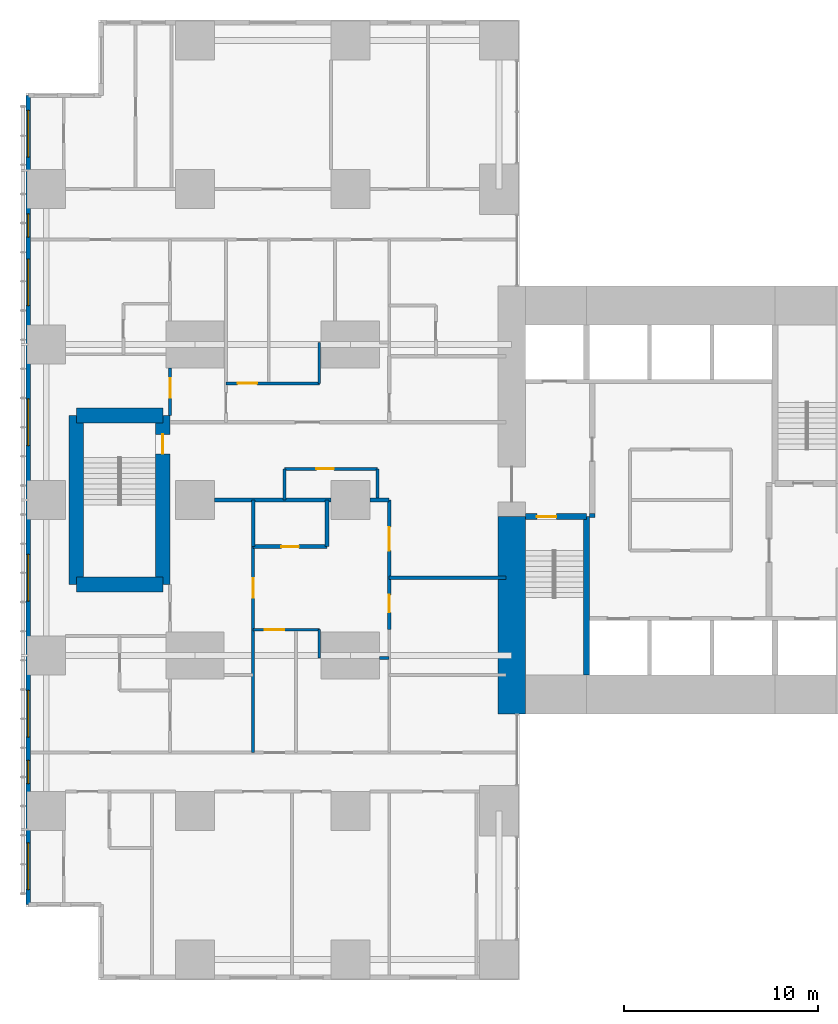
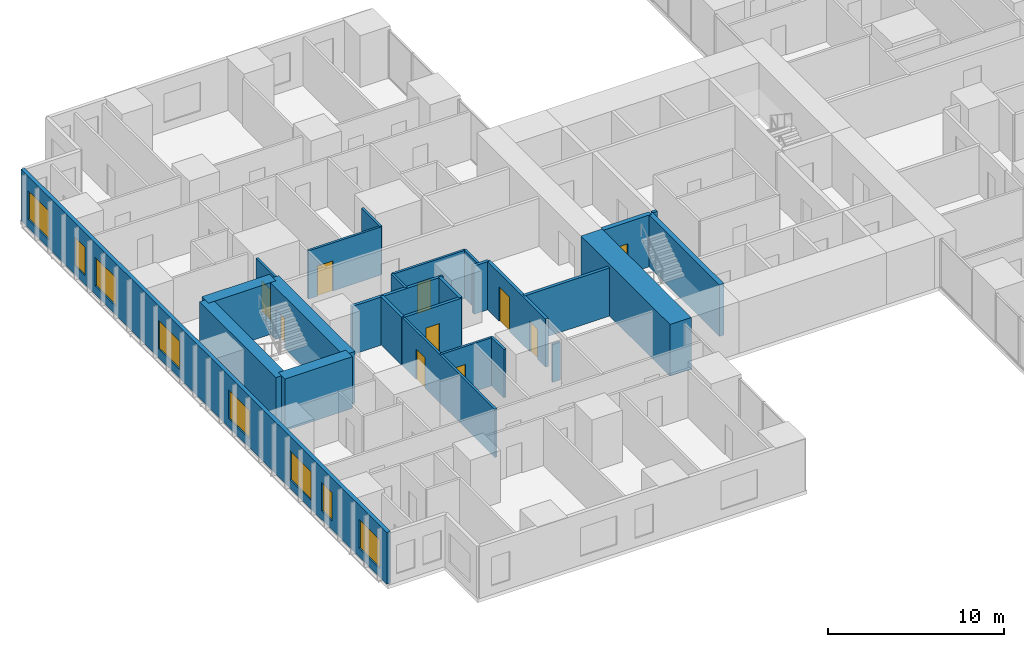
# One storey, part 13 of 20: 26 walls, 10 doors, 8 windows, 18 openings.
"""IFC4 building model written with IfcOpenShell, lengths in metres."""

from ifc_helpers import new_model, si_unit, direction, frame, frame_2d, origin, place, context, subcontext, project, spatial, rectangle, extrude, material, layer, layer_set, type_object, element, fill, save


model = new_model("IFC4")

# Units and contexts
model_context = context("Model", 3, precision=1e-05, world=origin(), true_north=direction((0.0, 1.0)))
body_context = subcontext(model_context, "Body", "Model", "MODEL_VIEW")
ifc_project = project(units=[si_unit("LENGTHUNIT", "METRE"), si_unit("AREAUNIT", "SQUARE_METRE"), si_unit("VOLUMEUNIT", "CUBIC_METRE"), si_unit("PLANEANGLEUNIT", "RADIAN"), si_unit("MASSUNIT", "GRAM", prefix="KILO")], contexts=[model_context])

# Site, building, storey
site_placement = place(None, origin())
site = spatial("IfcSite", under=ifc_project, at=site_placement, CompositionType="ELEMENT")
building_placement = place(site_placement, origin())
building = spatial("IfcBuilding", under=site, at=building_placement, Name="Cleftline Residences", CompositionType="ELEMENT")
storey_placement = place(building_placement, frame((0.0, 0.0, 69.199951171875)))
storey = spatial("IfcBuildingStorey", under=building, at=storey_placement, Name="L17", CompositionType="ELEMENT", Elevation=69.199951171875)

# Walls
ifc_material_1 = material(Name="Concrete B70", Category="concrete")
ifc_layer_1 = layer(ifc_material_1, 1.39990234375)
ifc_layer_set_1 = layer_set([ifc_layer_1], Name="CORE WALL 1400")
wall_type_1 = type_object("IfcWallType", Name="CORE WALL 1400", PredefinedType="SHEAR", material=ifc_layer_set_1)
wall_1_placement = place(storey_placement, frame((24.300048828125, 13.0, 0.0), z_axis=(0.0, 0.0, 1.0), x_axis=(0.0, 1.0, 0.0)))
element("IfcWall", 1, at=wall_1_placement, inside=storey, type_object=wall_type_1, Name="Core wall W0", PredefinedType="SHEAR", context=body_context, shape_type="SweptSolid", body=[
    extrude(rectangle(XDim=10.14990234375, YDim=1.39990234375, at=frame_2d((5.074951171875, 0.0))), origin(), (0.0, 0.0, 1.0), 3.60009765625),
])
ifc_material_2 = material(Name="Concrete B70", Category="concrete")
ifc_layer_2 = layer(ifc_material_2, 0.300048828125)
ifc_layer_set_2 = layer_set([ifc_layer_2], Name="CORE WALL 300")
wall_type_2 = type_object("IfcWallType", Name="CORE WALL 300", PredefinedType="SHEAR", material=ifc_layer_set_2)
wall_2_placement = place(storey_placement, frame((28.14990234375, 15.0, 0.0), z_axis=(0.0, 0.0, 1.0), x_axis=(0.0, 1.0, 0.0)))
element("IfcWall", 2, at=wall_2_placement, inside=storey, type_object=wall_type_2, Name="Core wall SA-E", PredefinedType="SHEAR", context=body_context, shape_type="SweptSolid", body=[
    extrude(rectangle(XDim=8.14990234375, YDim=0.300048828125, at=frame_2d((4.074951171875, 0.0))), origin(), (0.0, 0.0, 1.0), 3.60009765625),
])

# Wall, opening, door
wall_3_placement = place(storey_placement, frame((25.0, 23.14990234375, 0.0), z_axis=(0.0, 0.0, 1.0), x_axis=(1.0, 0.0, 0.0)))
wall_3 = element("IfcWall", 3, at=wall_3_placement, inside=storey, type_object=wall_type_2, Name="Core wall SA-N", PredefinedType="SHEAR", context=body_context, shape_type="SweptSolid", body=[
    extrude(rectangle(XDim=3.14990234375, YDim=0.300048828125, at=frame_2d((1.574951171875, 0.0))), origin(), (0.0, 0.0, 1.0), 3.60009765625),
])
opening_1_placement = place(wall_3_placement, frame((0.60009765625, 0.0, 0.0)))
opening_1 = element("IfcOpeningElement", 4, at=opening_1_placement, cuts=wall_3, Name="Opening D5", PredefinedType="OPENING", context=body_context, shape_type="SweptSolid", body=[
    extrude(rectangle(XDim=1.0, YDim=2.10009765625, at=frame_2d((0.5, 1.050048828125))), frame((0.0, 0.159912109375, 0.0), z_axis=(0.0, -1.0, 0.0), x_axis=(1.0, 0.0, 0.0)), (0.0, 0.0, 1.0), 0.320068359375),
])
ifc_material_3 = material(Name="Steel", Category="steel")
door_type_1 = type_object("IfcDoorType", Name="STAIR DOOR 1000X2100", OperationType="SINGLE_SWING_LEFT", PredefinedType="DOOR", material=ifc_material_3)
door_1_placement = place(opening_1_placement, origin())
door_1 = element("IfcDoor", 5, at=door_1_placement, inside=storey, type_object=door_type_1, Name="Stair A door", OperationType="SINGLE_SWING_RIGHT", OverallHeight=2.10009765625, OverallWidth=1.0, PredefinedType="DOOR", context=body_context, shape_type="SweptSolid", body=[
    extrude(rectangle(XDim=1.0, YDim=2.10009765625, at=frame_2d((0.5, 1.050048828125))), frame((0.0, 0.02490234375, 0.0), z_axis=(0.0, -1.0, 0.0), x_axis=(1.0, 0.0, 0.0)), (0.0, 0.0, 1.0), 0.050048828125),
])
fill(opening_1, door_1)

# Wall, openings, windows
ifc_material_4 = material(Name="Rendered reinforced concrete blockwork", Category="masonry")
ifc_layer_3 = layer(ifc_material_4, 0.25)
ifc_layer_set_3 = layer_set([ifc_layer_3], Name="EXTERNAL WALL 250")
wall_type_3 = type_object("IfcWallType", Name="EXTERNAL WALL 250", PredefinedType="SOLIDWALL", material=ifc_layer_set_3)
wall_4_placement = place(storey_placement, frame((-0.574951171875, 44.824951171875, 0.0), z_axis=(0.0, 0.0, 1.0), x_axis=(0.0, -1.0, 0.0)))
wall_4 = element("IfcWall", 6, at=wall_4_placement, inside=storey, type_object=wall_type_3, Name="External wall", PredefinedType="SOLIDWALL", context=body_context, shape_type="SweptSolid", body=[
    extrude(rectangle(XDim=41.64990234375, YDim=0.25, at=frame_2d((20.824951171875, 0.0))), origin(), (0.0, 0.0, 1.0), 3.60009765625),
])
opening_2_placement = place(wall_4_placement, frame((0.77490234375, 0.0, 0.60009765625)))
opening_2 = element("IfcOpeningElement", 7, at=opening_2_placement, cuts=wall_4, Name="Opening W6", PredefinedType="OPENING", context=body_context, shape_type="SweptSolid", body=[
    extrude(rectangle(XDim=2.39990234375, YDim=2.0, at=frame_2d((1.199951171875, 1.0))), frame((0.0, 0.135009765625, 0.0), z_axis=(0.0, -1.0, 0.0), x_axis=(1.0, 0.0, 0.0)), (0.0, 0.0, 1.0), 0.27001953125),
])
opening_3_placement = place(wall_4_placement, frame((6.10009765625, 0.0, 0.60009765625)))
opening_3 = element("IfcOpeningElement", 8, at=opening_3_placement, cuts=wall_4, Name="Opening W8", PredefinedType="OPENING", context=body_context, shape_type="SweptSolid", body=[
    extrude(rectangle(XDim=1.199951171875, YDim=2.0, at=frame_2d((0.60009765625, 1.0))), frame((0.0, 0.135009765625, 0.0), z_axis=(0.0, -1.0, 0.0), x_axis=(1.0, 0.0, 0.0)), (0.0, 0.0, 1.0), 0.27001953125),
])
opening_4_placement = place(wall_4_placement, frame((8.425048828125, 0.0, 0.60009765625)))
opening_4 = element("IfcOpeningElement", 9, at=opening_4_placement, cuts=wall_4, Name="Opening W6", PredefinedType="OPENING", context=body_context, shape_type="SweptSolid", body=[
    extrude(rectangle(XDim=2.39990234375, YDim=2.0, at=frame_2d((1.199951171875, 1.0))), frame((0.0, 0.135009765625, 0.0), z_axis=(0.0, -1.0, 0.0), x_axis=(1.0, 0.0, 0.0)), (0.0, 0.0, 1.0), 0.27001953125),
])
opening_5_placement = place(wall_4_placement, frame((15.625, 0.0, 0.60009765625)))
opening_5 = element("IfcOpeningElement", 10, at=opening_5_placement, cuts=wall_4, Name="Opening W6", PredefinedType="OPENING", context=body_context, shape_type="SweptSolid", body=[
    extrude(rectangle(XDim=2.39990234375, YDim=2.0, at=frame_2d((1.199951171875, 1.0))), frame((0.0, 0.135009765625, 0.0), z_axis=(0.0, -1.0, 0.0), x_axis=(1.0, 0.0, 0.0)), (0.0, 0.0, 1.0), 0.27001953125),
])
opening_6_placement = place(wall_4_placement, frame((23.625, 0.0, 0.60009765625)))
opening_6 = element("IfcOpeningElement", 11, at=opening_6_placement, cuts=wall_4, Name="Opening W6", PredefinedType="OPENING", context=body_context, shape_type="SweptSolid", body=[
    extrude(rectangle(XDim=2.39990234375, YDim=2.0, at=frame_2d((1.199951171875, 1.0))), frame((0.0, 0.135009765625, 0.0), z_axis=(0.0, -1.0, 0.0), x_axis=(1.0, 0.0, 0.0)), (0.0, 0.0, 1.0), 0.27001953125),
])
opening_7_placement = place(wall_4_placement, frame((30.625, 0.0, 0.60009765625)))
opening_7 = element("IfcOpeningElement", 12, at=opening_7_placement, cuts=wall_4, Name="Opening W6", PredefinedType="OPENING", context=body_context, shape_type="SweptSolid", body=[
    extrude(rectangle(XDim=2.39990234375, YDim=2.0, at=frame_2d((1.199951171875, 1.0))), frame((0.0, 0.135009765625, 0.0), z_axis=(0.0, -1.0, 0.0), x_axis=(1.0, 0.0, 0.0)), (0.0, 0.0, 1.0), 0.27001953125),
])
opening_8_placement = place(wall_4_placement, frame((34.22509765625, 0.0, 0.60009765625)))
opening_8 = element("IfcOpeningElement", 13, at=opening_8_placement, cuts=wall_4, Name="Opening W8", PredefinedType="OPENING", context=body_context, shape_type="SweptSolid", body=[
    extrude(rectangle(XDim=1.199951171875, YDim=2.0, at=frame_2d((0.60009765625, 1.0))), frame((0.0, 0.135009765625, 0.0), z_axis=(0.0, -1.0, 0.0), x_axis=(1.0, 0.0, 0.0)), (0.0, 0.0, 1.0), 0.27001953125),
])
opening_9_placement = place(wall_4_placement, frame((38.47509765625, 0.0, 0.60009765625)))
opening_9 = element("IfcOpeningElement", 14, at=opening_9_placement, cuts=wall_4, Name="Opening W6", PredefinedType="OPENING", context=body_context, shape_type="SweptSolid", body=[
    extrude(rectangle(XDim=2.39990234375, YDim=2.0, at=frame_2d((1.199951171875, 1.0))), frame((0.0, 0.135009765625, 0.0), z_axis=(0.0, -1.0, 0.0), x_axis=(1.0, 0.0, 0.0)), (0.0, 0.0, 1.0), 0.27001953125),
])
ifc_material_5 = material(Name="Aluminium frame, clear double glazing", Category="aluminium")
window_type_1 = type_object("IfcWindowType", Name="WINDOW 1200X2000", PartitioningType="DOUBLE_PANEL_VERTICAL", PredefinedType="WINDOW", material=ifc_material_5)
window_1_placement = place(opening_3_placement, origin())
window_1 = element("IfcWindow", 15, at=window_1_placement, inside=storey, type_object=window_type_1, Name="Window", OverallHeight=2.0, OverallWidth=1.199951171875, PartitioningType="SINGLE_PANEL", PredefinedType="WINDOW", context=body_context, shape_type="SweptSolid", body=[
    extrude(rectangle(XDim=1.199951171875, YDim=2.0, at=frame_2d((0.60009765625, 1.0))), frame((0.0, 0.030029296875, 0.0), z_axis=(0.0, -1.0, 0.0), x_axis=(1.0, 0.0, 0.0)), (0.0, 0.0, 1.0), 0.06005859375),
])
fill(opening_3, window_1)
window_2_placement = place(opening_8_placement, origin())
window_2 = element("IfcWindow", 16, at=window_2_placement, inside=storey, type_object=window_type_1, Name="Window", OverallHeight=2.0, OverallWidth=1.199951171875, PartitioningType="SINGLE_PANEL", PredefinedType="WINDOW", context=body_context, shape_type="SweptSolid", body=[
    extrude(rectangle(XDim=1.199951171875, YDim=2.0, at=frame_2d((0.60009765625, 1.0))), frame((0.0, 0.030029296875, 0.0), z_axis=(0.0, -1.0, 0.0), x_axis=(1.0, 0.0, 0.0)), (0.0, 0.0, 1.0), 0.06005859375),
])
fill(opening_8, window_2)
ifc_material_6 = material(Name="Aluminium frame, clear double glazing", Category="aluminium")
window_type_2 = type_object("IfcWindowType", Name="WINDOW 2400X2000", PartitioningType="DOUBLE_PANEL_VERTICAL", PredefinedType="WINDOW", material=ifc_material_6)
window_3_placement = place(opening_2_placement, origin())
window_3 = element("IfcWindow", 17, at=window_3_placement, inside=storey, type_object=window_type_2, Name="Window", OverallHeight=2.0, OverallWidth=2.39990234375, PartitioningType="SINGLE_PANEL", PredefinedType="WINDOW", context=body_context, shape_type="SweptSolid", body=[
    extrude(rectangle(XDim=2.39990234375, YDim=2.0, at=frame_2d((1.199951171875, 1.0))), frame((0.0, 0.030029296875, 0.0), z_axis=(0.0, -1.0, 0.0), x_axis=(1.0, 0.0, 0.0)), (0.0, 0.0, 1.0), 0.06005859375),
])
fill(opening_2, window_3)
window_4_placement = place(opening_4_placement, origin())
window_4 = element("IfcWindow", 18, at=window_4_placement, inside=storey, type_object=window_type_2, Name="Window", OverallHeight=2.0, OverallWidth=2.39990234375, PartitioningType="SINGLE_PANEL", PredefinedType="WINDOW", context=body_context, shape_type="SweptSolid", body=[
    extrude(rectangle(XDim=2.39990234375, YDim=2.0, at=frame_2d((1.199951171875, 1.0))), frame((0.0, 0.030029296875, 0.0), z_axis=(0.0, -1.0, 0.0), x_axis=(1.0, 0.0, 0.0)), (0.0, 0.0, 1.0), 0.06005859375),
])
fill(opening_4, window_4)
window_5_placement = place(opening_5_placement, origin())
window_5 = element("IfcWindow", 19, at=window_5_placement, inside=storey, type_object=window_type_2, Name="Window", OverallHeight=2.0, OverallWidth=2.39990234375, PartitioningType="SINGLE_PANEL", PredefinedType="WINDOW", context=body_context, shape_type="SweptSolid", body=[
    extrude(rectangle(XDim=2.39990234375, YDim=2.0, at=frame_2d((1.199951171875, 1.0))), frame((0.0, 0.030029296875, 0.0), z_axis=(0.0, -1.0, 0.0), x_axis=(1.0, 0.0, 0.0)), (0.0, 0.0, 1.0), 0.06005859375),
])
fill(opening_5, window_5)
window_6_placement = place(opening_6_placement, origin())
window_6 = element("IfcWindow", 20, at=window_6_placement, inside=storey, type_object=window_type_2, Name="Window", OverallHeight=2.0, OverallWidth=2.39990234375, PartitioningType="SINGLE_PANEL", PredefinedType="WINDOW", context=body_context, shape_type="SweptSolid", body=[
    extrude(rectangle(XDim=2.39990234375, YDim=2.0, at=frame_2d((1.199951171875, 1.0))), frame((0.0, 0.030029296875, 0.0), z_axis=(0.0, -1.0, 0.0), x_axis=(1.0, 0.0, 0.0)), (0.0, 0.0, 1.0), 0.06005859375),
])
fill(opening_6, window_6)
window_7_placement = place(opening_7_placement, origin())
window_7 = element("IfcWindow", 21, at=window_7_placement, inside=storey, type_object=window_type_2, Name="Window", OverallHeight=2.0, OverallWidth=2.39990234375, PartitioningType="SINGLE_PANEL", PredefinedType="WINDOW", context=body_context, shape_type="SweptSolid", body=[
    extrude(rectangle(XDim=2.39990234375, YDim=2.0, at=frame_2d((1.199951171875, 1.0))), frame((0.0, 0.030029296875, 0.0), z_axis=(0.0, -1.0, 0.0), x_axis=(1.0, 0.0, 0.0)), (0.0, 0.0, 1.0), 0.06005859375),
])
fill(opening_7, window_7)
window_8_placement = place(opening_9_placement, origin())
window_8 = element("IfcWindow", 22, at=window_8_placement, inside=storey, type_object=window_type_2, Name="Window", OverallHeight=2.0, OverallWidth=2.39990234375, PartitioningType="SINGLE_PANEL", PredefinedType="WINDOW", context=body_context, shape_type="SweptSolid", body=[
    extrude(rectangle(XDim=2.39990234375, YDim=2.0, at=frame_2d((1.199951171875, 1.0))), frame((0.0, 0.030029296875, 0.0), z_axis=(0.0, -1.0, 0.0), x_axis=(1.0, 0.0, 0.0)), (0.0, 0.0, 1.0), 0.06005859375),
])
fill(opening_9, window_8)

# Wall
ifc_material_7 = material(Name="Concrete blockwork, fire rated", Category="masonry")
ifc_layer_4 = layer(ifc_material_7, 0.199951171875)
ifc_layer_set_4 = layer_set([ifc_layer_4], Name="FIRE WALL 200")
wall_type_4 = type_object("IfcWallType", Name="FIRE WALL 200", PredefinedType="PARTITIONING", material=ifc_layer_set_4)
wall_5_placement = place(storey_placement, frame((18.0, 20.0, 0.0), z_axis=(0.0, 0.0, 1.0), x_axis=(1.0, 0.0, 0.0)))
element("IfcWall", 23, at=wall_5_placement, inside=storey, type_object=wall_type_4, Name="Fire separating wall", PredefinedType="PARTITIONING", context=body_context, shape_type="SweptSolid", body=[
    extrude(rectangle(XDim=6.0, YDim=0.199951171875, at=frame_2d((3.0, 0.0))), origin(), (0.0, 0.0, 1.0), 3.35009765625),
])

# Wall, opening, door
wall_6_placement = place(storey_placement, frame((11.0, 21.60009765625, 0.0), z_axis=(0.0, 0.0, 1.0), x_axis=(1.0, 0.0, 0.0)))
wall_6 = element("IfcWall", 24, at=wall_6_placement, inside=storey, type_object=wall_type_4, Name="Fire separating wall", PredefinedType="PARTITIONING", context=body_context, shape_type="SweptSolid", body=[
    extrude(rectangle(XDim=3.800048828125, YDim=0.199951171875, at=frame_2d((1.89990234375, 0.0))), origin(), (0.0, 0.0, 1.0), 3.35009765625),
])
opening_10_placement = place(wall_6_placement, frame((1.449951171875, 0.0, 0.0)))
opening_10 = element("IfcOpeningElement", 25, at=opening_10_placement, cuts=wall_6, Name="Opening D1F30", PredefinedType="OPENING", context=body_context, shape_type="SweptSolid", body=[
    extrude(rectangle(XDim=0.89990234375, YDim=2.10009765625, at=frame_2d((0.449951171875, 1.050048828125))), frame((0.0, 0.10986328125, 0.0), z_axis=(0.0, -1.0, 0.0), x_axis=(1.0, 0.0, 0.0)), (0.0, 0.0, 1.0), 0.219970703125),
])
ifc_material_8 = material(Name="Timber veneer on solid core", Category="wood")
door_type_2 = type_object("IfcDoorType", Name="DOOR 900X2100 EI 30", OperationType="SINGLE_SWING_LEFT", PredefinedType="DOOR", material=ifc_material_8)
door_2_placement = place(opening_10_placement, origin())
door_2 = element("IfcDoor", 26, at=door_2_placement, inside=storey, type_object=door_type_2, Name="Door to cloakroom wc", OperationType="SINGLE_SWING_LEFT", OverallHeight=2.10009765625, OverallWidth=0.89990234375, PredefinedType="DOOR", context=body_context, shape_type="SweptSolid", body=[
    extrude(rectangle(XDim=0.89990234375, YDim=2.10009765625, at=frame_2d((0.449951171875, 1.050048828125))), frame((0.0, 0.02490234375, 0.0), z_axis=(0.0, -1.0, 0.0), x_axis=(1.0, 0.0, 0.0)), (0.0, 0.0, 1.0), 0.050048828125),
])
fill(opening_10, door_2)

# Walls
wall_7_placement = place(storey_placement, frame((9.0, 24.0, 0.0), z_axis=(0.0, 0.0, 1.0), x_axis=(1.0, 0.0, 0.0)))
element("IfcWall", 27, at=wall_7_placement, inside=storey, type_object=wall_type_4, Name="Fire separating wall", PredefinedType="PARTITIONING", context=body_context, shape_type="SweptSolid", body=[
    extrude(rectangle(XDim=6.0, YDim=0.199951171875, at=frame_2d((3.0, 0.0))), origin(), (0.0, 0.0, 1.0), 3.35009765625),
])
wall_8_placement = place(storey_placement, frame((17.0, 24.0, 0.0), z_axis=(0.0, 0.0, 1.0), x_axis=(1.0, 0.0, 0.0)))
element("IfcWall", 28, at=wall_8_placement, inside=storey, type_object=wall_type_4, Name="Fire separating wall", PredefinedType="PARTITIONING", context=body_context, shape_type="SweptSolid", body=[
    extrude(rectangle(XDim=1.0, YDim=0.199951171875, at=frame_2d((0.5, 0.0))), origin(), (0.0, 0.0, 1.0), 3.35009765625),
])
for number, where, z_axis, x_axis, name in (
    (29, (11.0, 21.60009765625, 0.0), (0.0, 0.0, 1.0), (0.0, 1.0, 0.0), "Fire separating wall"),
    (30, (14.800048828125, 21.60009765625, 0.0), (0.0, 0.0, 1.0), (0.0, 1.0, 0.0), "Fire separating wall"),
):
    element("IfcWall", number, at=place(storey_placement, frame(where, z_axis=z_axis, x_axis=x_axis)), inside=storey, type_object=wall_type_4, Name=name, PredefinedType="PARTITIONING", context=body_context, shape_type="SweptSolid", body=[
        extrude(rectangle(XDim=2.39990234375, YDim=0.199951171875, at=frame_2d((1.199951171875, 0.0))), origin(), (0.0, 0.0, 1.0), 3.35009765625),
    ])

# Wall, openings, doors
wall_9_placement = place(storey_placement, frame((18.0, 17.324951171875, 0.0), z_axis=(0.0, 0.0, 1.0), x_axis=(0.0, 1.0, 0.0)))
wall_9 = element("IfcWall", 31, at=wall_9_placement, inside=storey, type_object=wall_type_4, Name="Fire separating wall", PredefinedType="PARTITIONING", context=body_context, shape_type="SweptSolid", body=[
    extrude(rectangle(XDim=6.675048828125, YDim=0.199951171875, at=frame_2d((3.33740234375, 0.0))), origin(), (0.0, 0.0, 1.0), 3.35009765625),
])
opening_11_placement = place(wall_9_placement, frame((4.074951171875, 0.0, 0.0)))
opening_11 = element("IfcOpeningElement", 32, at=opening_11_placement, cuts=wall_9, Name="Opening D4", PredefinedType="OPENING", context=body_context, shape_type="SweptSolid", body=[
    extrude(rectangle(XDim=1.199951171875, YDim=2.39990234375, at=frame_2d((0.60009765625, 1.199951171875))), frame((0.0, 0.10986328125, 0.0), z_axis=(0.0, -1.0, 0.0), x_axis=(1.0, 0.0, 0.0)), (0.0, 0.0, 1.0), 0.219970703125),
])
opening_12_placement = place(wall_9_placement, frame((0.887451171875, 0.0, 0.0)))
opening_12 = element("IfcOpeningElement", 33, at=opening_12_placement, cuts=wall_9, Name="Opening D1F30", PredefinedType="OPENING", context=body_context, shape_type="SweptSolid", body=[
    extrude(rectangle(XDim=0.89990234375, YDim=2.10009765625, at=frame_2d((0.449951171875, 1.050048828125))), frame((0.0, 0.10986328125, 0.0), z_axis=(0.0, -1.0, 0.0), x_axis=(1.0, 0.0, 0.0)), (0.0, 0.0, 1.0), 0.219970703125),
])
ifc_material_9 = material(Name="Timber veneer on solid core", Category="wood")
door_type_3 = type_object("IfcDoorType", Name="APARTMENT ENTRANCE DOOR 1200X2400", OperationType="SINGLE_SWING_RIGHT", PredefinedType="DOOR", material=ifc_material_9)
door_3_placement = place(opening_11_placement, origin())
door_3 = element("IfcDoor", 34, at=door_3_placement, inside=storey, type_object=door_type_3, Name="Door to residence entrance foyer", OperationType="SINGLE_SWING_LEFT", OverallHeight=2.39990234375, OverallWidth=1.199951171875, PredefinedType="DOOR", context=body_context, shape_type="SweptSolid", body=[
    extrude(rectangle(XDim=1.199951171875, YDim=2.39990234375, at=frame_2d((0.60009765625, 1.199951171875))), frame((0.0, 0.02490234375, 0.0), z_axis=(0.0, -1.0, 0.0), x_axis=(1.0, 0.0, 0.0)), (0.0, 0.0, 1.0), 0.050048828125),
])
fill(opening_11, door_3)
door_4_placement = place(opening_12_placement, origin())
door_4 = element("IfcDoor", 35, at=door_4_placement, inside=storey, type_object=door_type_2, Name="Door to utility room", OperationType="SINGLE_SWING_RIGHT", OverallHeight=2.10009765625, OverallWidth=0.89990234375, PredefinedType="DOOR", context=body_context, shape_type="SweptSolid", body=[
    extrude(rectangle(XDim=0.89990234375, YDim=2.10009765625, at=frame_2d((0.449951171875, 1.050048828125))), frame((0.0, 0.02490234375, 0.0), z_axis=(0.0, -1.0, 0.0), x_axis=(1.0, 0.0, 0.0)), (0.0, 0.0, 1.0), 0.050048828125),
])
fill(opening_12, door_4)

# Walls
wall_10_placement = place(storey_placement, frame((28.300048828125, 23.199951171875, 0.0), z_axis=(0.0, 0.0, 1.0), x_axis=(1.0, 0.0, 0.0)))
element("IfcWall", 36, at=wall_10_placement, inside=storey, type_object=wall_type_4, Name="Fire separating wall", PredefinedType="PARTITIONING", context=body_context, shape_type="SweptSolid", body=[
    extrude(rectangle(XDim=0.300048828125, YDim=0.199951171875, at=frame_2d((0.14990234375, 0.0))), origin(), (0.0, 0.0, 1.0), 3.60009765625),
])
ifc_material_10 = material(Name="Gypsum board on steel studs", Category="steel")
ifc_layer_5 = layer(ifc_material_10, 0.14990234375)
ifc_layer_set_5 = layer_set([ifc_layer_5], Name="PARTITION 150")
wall_type_5 = type_object("IfcWallType", Name="PARTITION 150", PredefinedType="PARTITIONING", material=ifc_layer_set_5)
wall_11_placement = place(storey_placement, frame((17.5, 15.875, 0.0), z_axis=(0.0, 0.0, 1.0), x_axis=(1.0, 0.0, 0.0)))
element("IfcWall", 37, at=wall_11_placement, inside=storey, type_object=wall_type_5, Name="Partition", PredefinedType="PARTITIONING", context=body_context, shape_type="SweptSolid", body=[
    extrude(rectangle(XDim=0.5, YDim=0.14990234375, at=frame_2d((0.25, 0.0))), origin(), (0.0, 0.0, 1.0), 2.634033203125),
])

# Wall, opening, door
wall_12_placement = place(storey_placement, frame((11.0, 17.324951171875, 0.0), z_axis=(0.0, 0.0, 1.0), x_axis=(1.0, 0.0, 0.0)))
wall_12 = element("IfcWall", 38, at=wall_12_placement, inside=storey, type_object=wall_type_5, Name="Partition", PredefinedType="PARTITIONING", context=body_context, shape_type="SweptSolid", body=[
    extrude(rectangle(XDim=3.39990234375, YDim=0.14990234375, at=frame_2d((1.699951171875, 0.0))), origin(), (0.0, 0.0, 1.0), 3.35009765625),
])
opening_13_placement = place(wall_12_placement, frame((0.60009765625, 0.0, 0.0)))
opening_13 = element("IfcOpeningElement", 39, at=opening_13_placement, cuts=wall_12, Name="Opening D2", PredefinedType="OPENING", context=body_context, shape_type="SweptSolid", body=[
    extrude(rectangle(XDim=1.0, YDim=2.10009765625, at=frame_2d((0.5, 1.050048828125))), frame((0.0, 0.0849609375, 0.0), z_axis=(0.0, -1.0, 0.0), x_axis=(1.0, 0.0, 0.0)), (0.0, 0.0, 1.0), 0.169921875),
])
ifc_material_11 = material(Name="Timber veneer on solid core", Category="wood")
door_type_4 = type_object("IfcDoorType", Name="DOOR 1000X2100", OperationType="SINGLE_SWING_LEFT", PredefinedType="DOOR", material=ifc_material_11)
door_5_placement = place(opening_13_placement, origin())
door_5 = element("IfcDoor", 40, at=door_5_placement, inside=storey, type_object=door_type_4, Name="Door to residence passage", OperationType="SINGLE_SWING_RIGHT", OverallHeight=2.10009765625, OverallWidth=1.0, PredefinedType="DOOR", context=body_context, shape_type="SweptSolid", body=[
    extrude(rectangle(XDim=1.0, YDim=2.10009765625, at=frame_2d((0.5, 1.050048828125))), frame((0.0, 0.02490234375, 0.0), z_axis=(0.0, -1.0, 0.0), x_axis=(1.0, 0.0, 0.0)), (0.0, 0.0, 1.0), 0.050048828125),
])
fill(opening_13, door_5)

wall_13_placement = place(storey_placement, frame((12.60009765625, 25.60009765625, 0.0), z_axis=(0.0, 0.0, 1.0), x_axis=(1.0, 0.0, 0.0)))
wall_13 = element("IfcWall", 41, at=wall_13_placement, inside=storey, type_object=wall_type_5, Name="Partition", PredefinedType="PARTITIONING", context=body_context, shape_type="SweptSolid", body=[
    extrude(rectangle(XDim=4.7998046875, YDim=0.14990234375, at=frame_2d((2.39990234375, 0.0))), origin(), (0.0, 0.0, 1.0), 3.35009765625),
])
opening_14_placement = place(wall_13_placement, frame((1.64990234375, 0.0, 0.0)))
opening_14 = element("IfcOpeningElement", 42, at=opening_14_placement, cuts=wall_13, Name="Opening D1", PredefinedType="OPENING", context=body_context, shape_type="SweptSolid", body=[
    extrude(rectangle(XDim=0.89990234375, YDim=2.10009765625, at=frame_2d((0.449951171875, 1.050048828125))), frame((0.0, 0.0849609375, 0.0), z_axis=(0.0, -1.0, 0.0), x_axis=(1.0, 0.0, 0.0)), (0.0, 0.0, 1.0), 0.169921875),
])
ifc_material_12 = material(Name="Timber veneer on solid core", Category="wood")
door_type_5 = type_object("IfcDoorType", Name="DOOR 900X2100", OperationType="SINGLE_SWING_LEFT", PredefinedType="DOOR", material=ifc_material_12)
door_6_placement = place(opening_14_placement, origin())
door_6 = element("IfcDoor", 43, at=door_6_placement, inside=storey, type_object=door_type_5, Name="Door to bulky waste room", OperationType="SINGLE_SWING_RIGHT", OverallHeight=2.10009765625, OverallWidth=0.89990234375, PredefinedType="DOOR", context=body_context, shape_type="SweptSolid", body=[
    extrude(rectangle(XDim=0.89990234375, YDim=2.10009765625, at=frame_2d((0.449951171875, 1.050048828125))), frame((0.0, 0.02490234375, 0.0), z_axis=(0.0, -1.0, 0.0), x_axis=(1.0, 0.0, 0.0)), (0.0, 0.0, 1.0), 0.050048828125),
])
fill(opening_14, door_6)

wall_14_placement = place(storey_placement, frame((9.60009765625, 30.0, 0.0), z_axis=(0.0, 0.0, 1.0), x_axis=(1.0, 0.0, 0.0)))
wall_14 = element("IfcWall", 44, at=wall_14_placement, inside=storey, type_object=wall_type_5, Name="Partition", PredefinedType="PARTITIONING", context=body_context, shape_type="SweptSolid", body=[
    extrude(rectangle(XDim=4.7998046875, YDim=0.14990234375, at=frame_2d((2.39990234375, 0.0))), origin(), (0.0, 0.0, 1.0), 3.35009765625),
])
opening_15_placement = place(wall_14_placement, frame((0.60009765625, 0.0, 0.0)))
opening_15 = element("IfcOpeningElement", 45, at=opening_15_placement, cuts=wall_14, Name="Opening D2", PredefinedType="OPENING", context=body_context, shape_type="SweptSolid", body=[
    extrude(rectangle(XDim=1.0, YDim=2.10009765625, at=frame_2d((0.5, 1.050048828125))), frame((0.0, 0.0849609375, 0.0), z_axis=(0.0, -1.0, 0.0), x_axis=(1.0, 0.0, 0.0)), (0.0, 0.0, 1.0), 0.169921875),
])
door_7_placement = place(opening_15_placement, origin())
door_7 = element("IfcDoor", 46, at=door_7_placement, inside=storey, type_object=door_type_4, Name="Door to residence passage", OperationType="SINGLE_SWING_RIGHT", OverallHeight=2.10009765625, OverallWidth=1.0, PredefinedType="DOOR", context=body_context, shape_type="SweptSolid", body=[
    extrude(rectangle(XDim=1.0, YDim=2.10009765625, at=frame_2d((0.5, 1.050048828125))), frame((0.0, 0.02490234375, 0.0), z_axis=(0.0, -1.0, 0.0), x_axis=(1.0, 0.0, 0.0)), (0.0, 0.0, 1.0), 0.050048828125),
])
fill(opening_15, door_7)

wall_15_placement = place(storey_placement, frame((6.72509765625, 28.35009765625, 0.0), z_axis=(0.0, 0.0, 1.0), x_axis=(0.0, 1.0, 0.0)))
wall_15 = element("IfcWall", 47, at=wall_15_placement, inside=storey, type_object=wall_type_5, Name="Partition", PredefinedType="PARTITIONING", context=body_context, shape_type="SweptSolid", body=[
    extrude(rectangle(XDim=2.449951171875, YDim=0.14990234375, at=frame_2d((1.22509765625, 0.0))), origin(), (0.0, 0.0, 1.0), 3.35009765625),
])
opening_16_placement = place(wall_15_placement, frame((0.91259765625, 0.0, 0.0)))
opening_16 = element("IfcOpeningElement", 48, at=opening_16_placement, cuts=wall_15, Name="Opening D2", PredefinedType="OPENING", context=body_context, shape_type="SweptSolid", body=[
    extrude(rectangle(XDim=1.0, YDim=2.10009765625, at=frame_2d((0.5, 1.050048828125))), frame((0.0, 0.0849609375, 0.0), z_axis=(0.0, -1.0, 0.0), x_axis=(1.0, 0.0, 0.0)), (0.0, 0.0, 1.0), 0.169921875),
])
door_8_placement = place(opening_16_placement, origin())
door_8 = element("IfcDoor", 49, at=door_8_placement, inside=storey, type_object=door_type_4, Name="Door to altar room", OperationType="SINGLE_SWING_LEFT", OverallHeight=2.10009765625, OverallWidth=1.0, PredefinedType="DOOR", context=body_context, shape_type="SweptSolid", body=[
    extrude(rectangle(XDim=1.0, YDim=2.10009765625, at=frame_2d((0.5, 1.050048828125))), frame((0.0, 0.02490234375, 0.0), z_axis=(0.0, -1.0, 0.0), x_axis=(1.0, 0.0, 0.0)), (0.0, 0.0, 1.0), 0.050048828125),
])
fill(opening_16, door_8)

wall_16_placement = place(storey_placement, frame((11.0, 11.0, 0.0), z_axis=(0.0, 0.0, 1.0), x_axis=(0.0, 1.0, 0.0)))
wall_16 = element("IfcWall", 50, at=wall_16_placement, inside=storey, type_object=wall_type_5, Name="Partition", PredefinedType="PARTITIONING", context=body_context, shape_type="SweptSolid", body=[
    extrude(rectangle(XDim=10.60009765625, YDim=0.14990234375, at=frame_2d((5.300048828125, 0.0))), origin(), (0.0, 0.0, 1.0), 3.35009765625),
])
opening_17_placement = place(wall_16_placement, frame((7.96240234375, 0.0, 0.0)))
opening_17 = element("IfcOpeningElement", 51, at=opening_17_placement, cuts=wall_16, Name="Opening D2F30", PredefinedType="OPENING", context=body_context, shape_type="SweptSolid", body=[
    extrude(rectangle(XDim=1.0, YDim=2.10009765625, at=frame_2d((0.5, 1.050048828125))), frame((0.0, 0.0849609375, 0.0), z_axis=(0.0, -1.0, 0.0), x_axis=(1.0, 0.0, 0.0)), (0.0, 0.0, 1.0), 0.169921875),
])
ifc_material_13 = material(Name="Timber veneer on solid core", Category="wood")
door_type_6 = type_object("IfcDoorType", Name="DOOR 1000X2100 EI 30", OperationType="SINGLE_SWING_LEFT", PredefinedType="DOOR", material=ifc_material_13)
door_9_placement = place(opening_17_placement, origin())
door_9 = element("IfcDoor", 52, at=door_9_placement, inside=storey, type_object=door_type_6, Name="Door to residence lobby", OperationType="SINGLE_SWING_LEFT", OverallHeight=2.10009765625, OverallWidth=1.0, PredefinedType="DOOR", context=body_context, shape_type="SweptSolid", body=[
    extrude(rectangle(XDim=1.0, YDim=2.10009765625, at=frame_2d((0.5, 1.050048828125))), frame((0.0, 0.02490234375, 0.0), z_axis=(0.0, -1.0, 0.0), x_axis=(1.0, 0.0, 0.0)), (0.0, 0.0, 1.0), 0.050048828125),
])
fill(opening_17, door_9)

# Walls
wall_17_placement = place(storey_placement, frame((12.60009765625, 24.0, 0.0), z_axis=(0.0, 0.0, 1.0), x_axis=(0.0, 1.0, 0.0)))
element("IfcWall", 53, at=wall_17_placement, inside=storey, type_object=wall_type_5, Name="Partition", PredefinedType="PARTITIONING", context=body_context, shape_type="SweptSolid", body=[
    extrude(rectangle(XDim=1.60009765625, YDim=0.14990234375, at=frame_2d((0.800048828125, 0.0))), origin(), (0.0, 0.0, 1.0), 3.35009765625),
])
wall_18_placement = place(storey_placement, frame((14.39990234375, 15.875, 0.0), z_axis=(0.0, 0.0, 1.0), x_axis=(0.0, 1.0, 0.0)))
element("IfcWall", 54, at=wall_18_placement, inside=storey, type_object=wall_type_5, Name="Partition", PredefinedType="PARTITIONING", context=body_context, shape_type="SweptSolid", body=[
    extrude(rectangle(XDim=1.449951171875, YDim=0.14990234375, at=frame_2d((0.72509765625, 0.0))), origin(), (0.0, 0.0, 1.0), 3.35009765625),
])
wall_19_placement = place(storey_placement, frame((14.39990234375, 30.0, 0.0), z_axis=(0.0, 0.0, 1.0), x_axis=(0.0, 1.0, 0.0)))
element("IfcWall", 55, at=wall_19_placement, inside=storey, type_object=wall_type_5, Name="Partition", PredefinedType="PARTITIONING", context=body_context, shape_type="SweptSolid", body=[
    extrude(rectangle(XDim=2.10009765625, YDim=0.14990234375, at=frame_2d((1.050048828125, 0.0))), origin(), (0.0, 0.0, 1.0), 3.35009765625),
])
wall_20_placement = place(storey_placement, frame((17.39990234375, 24.0, 0.0), z_axis=(0.0, 0.0, 1.0), x_axis=(0.0, 1.0, 0.0)))
element("IfcWall", 56, at=wall_20_placement, inside=storey, type_object=wall_type_5, Name="Partition", PredefinedType="PARTITIONING", context=body_context, shape_type="SweptSolid", body=[
    extrude(rectangle(XDim=1.60009765625, YDim=0.14990234375, at=frame_2d((0.800048828125, 0.0))), origin(), (0.0, 0.0, 1.0), 3.35009765625),
])
ifc_material_14 = material(Name="Concrete B70", Category="concrete")
ifc_layer_6 = layer(ifc_material_14, 0.75)
ifc_layer_set_6 = layer_set([ifc_layer_6], Name="SHEAR WALL 750")
wall_type_6 = type_object("IfcWallType", Name="SHEAR WALL 750", PredefinedType="SHEAR", material=ifc_layer_set_6)
wall_21_placement = place(storey_placement, frame((1.89990234375, 19.64990234375, 0.0), z_axis=(0.0, 0.0, 1.0), x_axis=(1.0, 0.0, 0.0)))
element("IfcWall", 57, at=wall_21_placement, inside=storey, type_object=wall_type_6, Name="Wing shear wall", PredefinedType="SHEAR", context=body_context, shape_type="SweptSolid", body=[
    extrude(rectangle(XDim=4.4501953125, YDim=0.75, at=frame_2d((2.22509765625, 0.0))), origin(), (0.0, 0.0, 1.0), 3.60009765625),
])

# Wall, opening, door
wall_22_placement = place(storey_placement, frame((6.35009765625, 19.64990234375, 0.0), z_axis=(0.0, 0.0, 1.0), x_axis=(0.0, 1.0, 0.0)))
wall_22 = element("IfcWall", 58, at=wall_22_placement, inside=storey, type_object=wall_type_6, Name="Wing shear wall", PredefinedType="SHEAR", context=body_context, shape_type="SweptSolid", body=[
    extrude(rectangle(XDim=8.7001953125, YDim=0.75, at=frame_2d((4.35009765625, 0.0))), origin(), (0.0, 0.0, 1.0), 3.60009765625),
])
opening_18_placement = place(wall_22_placement, frame((6.72509765625, 0.0, 0.0)))
opening_18 = element("IfcOpeningElement", 59, at=opening_18_placement, cuts=wall_22, Name="Opening D5", PredefinedType="OPENING", context=body_context, shape_type="SweptSolid", body=[
    extrude(rectangle(XDim=1.0, YDim=2.10009765625, at=frame_2d((0.5, 1.050048828125))), frame((0.0, 0.385009765625, 0.0), z_axis=(0.0, -1.0, 0.0), x_axis=(1.0, 0.0, 0.0)), (0.0, 0.0, 1.0), 0.77001953125),
])
door_10_placement = place(opening_18_placement, origin())
door_10 = element("IfcDoor", 60, at=door_10_placement, inside=storey, type_object=door_type_1, Name="Stair W door", OperationType="SINGLE_SWING_LEFT", OverallHeight=2.10009765625, OverallWidth=1.0, PredefinedType="DOOR", context=body_context, shape_type="SweptSolid", body=[
    extrude(rectangle(XDim=1.0, YDim=2.10009765625, at=frame_2d((0.5, 1.050048828125))), frame((0.0, 0.02490234375, 0.0), z_axis=(0.0, -1.0, 0.0), x_axis=(1.0, 0.0, 0.0)), (0.0, 0.0, 1.0), 0.050048828125),
])
fill(opening_18, door_10)

# Walls
wall_23_placement = place(storey_placement, frame((6.35009765625, 28.35009765625, 0.0), z_axis=(0.0, 0.0, 1.0), x_axis=(-1.0, 0.0, 0.0)))
element("IfcWall", 61, at=wall_23_placement, inside=storey, type_object=wall_type_6, Name="Wing shear wall", PredefinedType="SHEAR", context=body_context, shape_type="SweptSolid", body=[
    extrude(rectangle(XDim=4.4501953125, YDim=0.75, at=frame_2d((2.22509765625, 0.0))), origin(), (0.0, 0.0, 1.0), 3.60009765625),
])
wall_24_placement = place(storey_placement, frame((1.89990234375, 28.35009765625, 0.0), z_axis=(0.0, 0.0, 1.0), x_axis=(0.0, -1.0, 0.0)))
element("IfcWall", 62, at=wall_24_placement, inside=storey, type_object=wall_type_6, Name="Wing shear wall", PredefinedType="SHEAR", context=body_context, shape_type="SweptSolid", body=[
    extrude(rectangle(XDim=8.7001953125, YDim=0.75, at=frame_2d((4.35009765625, 0.0))), origin(), (0.0, 0.0, 1.0), 3.60009765625),
])

save(model, "model.ifc")
